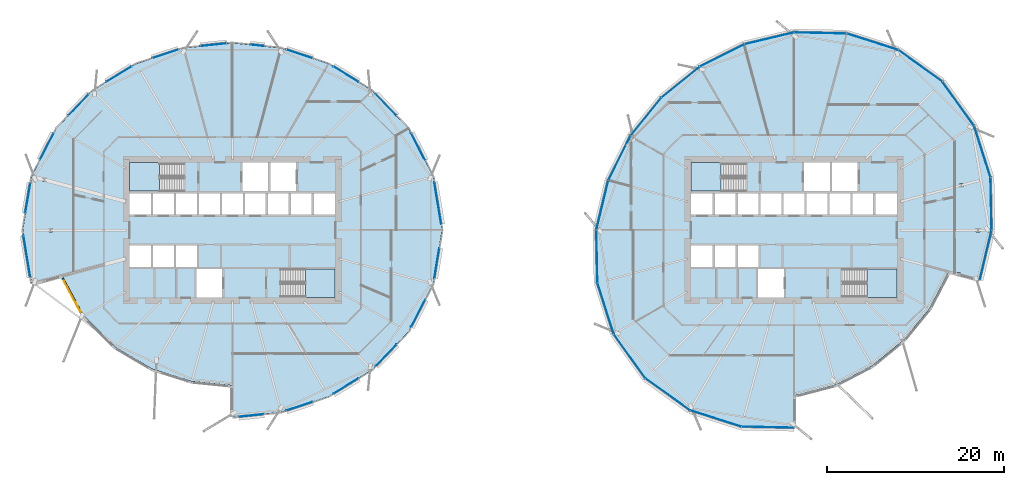
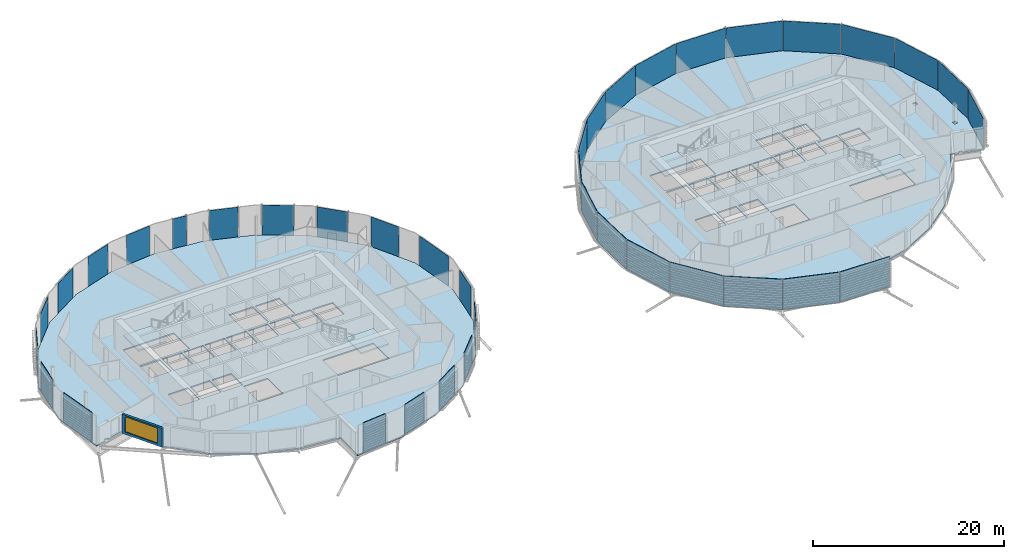
# One storey, part 20 of 40: 38 plates, 6 slabs, 1 wall, 1 window, 1 opening, 6 elements without a shape of their own.
"""IFC4 building model written with IfcOpenShell, lengths in metres."""

from ifc_helpers import new_model, si_unit, direction, frame, frame_2d, origin, origin_2d, place, context, subcontext, project, spatial, polyline, rectangle, outline, extrude, material, layer, layer_set, type_object, element, fill, aggregate, save


model = new_model("IFC4")

# Units and contexts
model_context = context("Model", 3, precision=1e-05, world=origin(), true_north=direction((0.0, 1.0)))
body_context = subcontext(model_context, "Body", "Model", "MODEL_VIEW")
ifc_project = project(units=[si_unit("LENGTHUNIT", "METRE"), si_unit("AREAUNIT", "SQUARE_METRE"), si_unit("VOLUMEUNIT", "CUBIC_METRE"), si_unit("PLANEANGLEUNIT", "RADIAN"), si_unit("MASSUNIT", "GRAM", prefix="KILO")], contexts=[model_context])

# Site, building, storey
site_placement = place(None, origin())
site = spatial("IfcSite", under=ifc_project, at=site_placement, CompositionType="ELEMENT")
building_placement = place(site_placement, origin())
building = spatial("IfcBuilding", under=site, at=building_placement, Name="Rimbun Link Towers", CompositionType="ELEMENT")
storey_placement = place(building_placement, frame((0.0, 0.0, 89.199951171875)))
storey = spatial("IfcBuildingStorey", under=building, at=storey_placement, Name="L21", CompositionType="ELEMENT", Elevation=89.199951171875)

# Slabs
ifc_material_1 = material(Name="Concrete C35/45", Category="concrete")
ifc_layer_1 = layer(ifc_material_1, 0.159912109375)
ifc_layer_set_1 = layer_set([ifc_layer_1], Name="COMPOSITE FLOOR 160")
slab_type_1 = type_object("IfcSlabType", Name="COMPOSITE FLOOR 160", PredefinedType="FLOOR", material=ifc_layer_set_1)
slab_1_placement = place(storey_placement, frame((0.0, 0.0, -0.159912109375)))
element("IfcSlab", 1, at=slab_1_placement, inside=storey, type_object=slab_type_1, Name="Floor slab T1 L21", PredefinedType="FLOOR", context=body_context, shape_type="SweptSolid", body=[
    extrude(outline(polyline([(-54.45556640625, -6.083984375), (-55.455810546875, 0.0), (-54.45556640625, 6.083984375), (-51.65673828125, 11.4931640625), (-47.53857421875, 15.78857421875), (-42.61181640625, 18.8134765625), (-37.265869140625, 20.585205078125), (-31.75, 21.166015625), (-26.234130859375, 20.585205078125), (-20.88818359375, 18.8134765625), (-15.96142578125, 15.78857421875), (-11.84326171875, 11.4931640625), (-9.04443359375, 6.083984375), (-8.044189453125, 0.0), (-9.04443359375, -6.083984375), (-11.84326171875, -11.4931640625), (-15.96142578125, -15.78857421875), (-20.88818359375, -18.8134765625), (-26.234130859375, -20.585205078125), (-31.75, -21.166015625), (-31.75, -17.56591796875), (-36.333984375, -17.10791015625), (-40.81201171875, -15.69580078125), (-44.992919921875, -13.242919921875), (-48.5390625, -9.693115234375), (-50.978271484375, -5.152099609375), (-52.823486328125, -5.646728515625), (-52.823486328125, -5.50341796875), (-53.22265625, -5.50341796875), (-53.22265625, -5.753662109375), (-54.45556640625, -6.083984375)]), holes=[polyline([(-40.95556640625, -4.14990234375), (-40.95556640625, -1.75), (-43.375, -1.75), (-43.375, -4.14990234375), (-40.95556640625, -4.14990234375)]), polyline([(-38.361083984375, -4.14990234375), (-38.361083984375, -1.75), (-40.70556640625, -1.75), (-40.70556640625, -4.14990234375), (-38.361083984375, -4.14990234375)]), polyline([(-38.111083984375, -4.14990234375), (-35.7666015625, -4.14990234375), (-35.7666015625, -1.75), (-38.111083984375, -1.75), (-38.111083984375, -4.14990234375)]), polyline([(-52.51611328125, -0.19677734375), (-52.1171875, -0.19677734375), (-52.1171875, 0.19677734375), (-52.51611328125, 0.19677734375), (-52.51611328125, -0.19677734375)]), polyline([(-40.95556640625, 1.75), (-40.95556640625, 4.14990234375), (-43.375, 4.14990234375), (-43.375, 1.75), (-40.95556640625, 1.75)]), polyline([(-38.361083984375, 1.75), (-38.361083984375, 4.14990234375), (-40.70556640625, 4.14990234375), (-40.70556640625, 1.75), (-38.361083984375, 1.75)]), polyline([(-35.7666015625, 1.75), (-35.7666015625, 4.14990234375), (-38.111083984375, 4.14990234375), (-38.111083984375, 1.75), (-35.7666015625, 1.75)]), polyline([(-53.22265625, 5.50341796875), (-52.823486328125, 5.50341796875), (-52.823486328125, 5.89697265625), (-53.22265625, 5.89697265625), (-53.22265625, 5.50341796875)]), polyline([(-43.375, 4.39990234375), (-37.260009765625, 4.39990234375), (-37.260009765625, 7.625), (-43.375, 7.625), (-43.375, 4.39990234375)]), polyline([(-32.89990234375, -7.625), (-32.89990234375, -4.39990234375), (-35.800048828125, -4.39990234375), (-35.800048828125, -7.625), (-32.89990234375, -7.625)]), polyline([(-20.125, -7.625), (-20.125, -4.39990234375), (-26.239990234375, -4.39990234375), (-26.239990234375, -7.625), (-20.125, -7.625)]), polyline([(-33.172119140625, 1.75), (-33.172119140625, 4.14990234375), (-35.5166015625, 4.14990234375), (-35.5166015625, 1.75), (-33.172119140625, 1.75)]), polyline([(-32.922119140625, 1.75), (-30.577880859375, 1.75), (-30.577880859375, 4.14990234375), (-32.922119140625, 4.14990234375), (-32.922119140625, 1.75)]), polyline([(-30.327880859375, 1.75), (-27.9833984375, 1.75), (-27.9833984375, 4.14990234375), (-30.327880859375, 4.14990234375), (-30.327880859375, 1.75)]), polyline([(-25.388916015625, 1.75), (-25.388916015625, 4.14990234375), (-27.7333984375, 4.14990234375), (-27.7333984375, 1.75), (-25.388916015625, 1.75)]), polyline([(-22.79443359375, 1.75), (-22.79443359375, 4.14990234375), (-25.138916015625, 4.14990234375), (-25.138916015625, 1.75), (-22.79443359375, 1.75)]), polyline([(-20.125, 1.75), (-20.125, 4.14990234375), (-22.54443359375, 4.14990234375), (-22.54443359375, 1.75), (-20.125, 1.75)]), polyline([(-30.60009765625, 4.39990234375), (-27.699951171875, 4.39990234375), (-27.699951171875, 7.625), (-30.60009765625, 7.625), (-30.60009765625, 4.39990234375)]), polyline([(-27.449951171875, 4.39990234375), (-24.550048828125, 4.39990234375), (-24.550048828125, 7.625), (-27.449951171875, 7.625), (-27.449951171875, 4.39990234375)])]), origin(), (0.0, 0.0, 1.0), 0.159912109375),
])
slab_2_placement = place(storey_placement, frame((0.0, 0.0, -0.159912109375)))
element("IfcSlab", 2, at=slab_2_placement, inside=storey, type_object=slab_type_1, Name="Floor slab T2 L21", PredefinedType="FLOOR", context=body_context, shape_type="SweptSolid", body=[
    extrude(outline(polyline([(49.25634765625, -4.69091796875), (47.08837890625, -8.855712890625), (44.1708984375, -12.4208984375), (40.605712890625, -15.33837890625), (36.44091796875, -17.50634765625), (31.75, -18.728271484375), (31.75, -22.328369140625), (25.80078125, -22.202880859375), (19.996826171875, -20.357177734375), (14.9873046875, -16.7626953125), (11.392822265625, -11.753173828125), (9.547119140625, -5.94921875), (9.421630859375, 0.0), (10.766357421875, 5.62255859375), (13.2939453125, 10.655517578125), (16.783447265625, 14.966552734375), (21.094482421875, 18.4560546875), (26.12744140625, 20.983642578125), (31.75, 22.328369140625), (37.69921875, 22.202880859375), (43.503173828125, 20.357177734375), (48.5126953125, 16.7626953125), (52.107177734375, 11.753173828125), (53.952880859375, 5.94921875), (54.078369140625, 0.0), (52.733642578125, -5.62255859375), (50.59228515625, -5.048828125), (50.59228515625, -4.798583984375), (50.193359375, -4.798583984375), (50.193359375, -4.94189453125), (49.25634765625, -4.69091796875)]), holes=[polyline([(30.60009765625, -7.625), (30.60009765625, -4.39990234375), (27.699951171875, -4.39990234375), (27.699951171875, -7.625), (30.60009765625, -7.625)]), polyline([(22.54443359375, -4.14990234375), (22.54443359375, -1.75), (20.125, -1.75), (20.125, -4.14990234375), (22.54443359375, -4.14990234375)]), polyline([(25.138916015625, -4.14990234375), (25.138916015625, -1.75), (22.79443359375, -1.75), (22.79443359375, -4.14990234375), (25.138916015625, -4.14990234375)]), polyline([(25.388916015625, -4.14990234375), (27.7333984375, -4.14990234375), (27.7333984375, -1.75), (25.388916015625, -1.75), (25.388916015625, -4.14990234375)]), polyline([(20.125, 1.75), (22.54443359375, 1.75), (22.54443359375, 4.14990234375), (20.125, 4.14990234375), (20.125, 1.75)]), polyline([(25.138916015625, 1.75), (25.138916015625, 4.14990234375), (22.79443359375, 4.14990234375), (22.79443359375, 1.75), (25.138916015625, 1.75)]), polyline([(27.7333984375, 1.75), (27.7333984375, 4.14990234375), (25.388916015625, 4.14990234375), (25.388916015625, 1.75), (27.7333984375, 1.75)]), polyline([(30.327880859375, 1.75), (30.327880859375, 4.14990234375), (27.9833984375, 4.14990234375), (27.9833984375, 1.75), (30.327880859375, 1.75)]), polyline([(30.577880859375, 1.75), (32.922119140625, 1.75), (32.922119140625, 4.14990234375), (30.577880859375, 4.14990234375), (30.577880859375, 1.75)]), polyline([(20.125, 4.39990234375), (26.239990234375, 4.39990234375), (26.239990234375, 7.625), (20.125, 7.625), (20.125, 4.39990234375)]), polyline([(43.375, -7.625), (43.375, -4.39990234375), (37.260009765625, -4.39990234375), (37.260009765625, -7.625), (43.375, -7.625)]), polyline([(52.75341796875, -0.19677734375), (52.75341796875, 0.19677734375), (52.3544921875, 0.19677734375), (52.3544921875, -0.19677734375), (52.75341796875, -0.19677734375)]), polyline([(33.172119140625, 1.75), (35.5166015625, 1.75), (35.5166015625, 4.14990234375), (33.172119140625, 4.14990234375), (33.172119140625, 1.75)]), polyline([(35.7666015625, 1.75), (38.111083984375, 1.75), (38.111083984375, 4.14990234375), (35.7666015625, 4.14990234375), (35.7666015625, 1.75)]), polyline([(40.70556640625, 1.75), (40.70556640625, 4.14990234375), (38.361083984375, 4.14990234375), (38.361083984375, 1.75), (40.70556640625, 1.75)]), polyline([(43.375, 1.75), (43.375, 4.14990234375), (40.95556640625, 4.14990234375), (40.95556640625, 1.75), (43.375, 1.75)]), polyline([(50.85302734375, 4.868408203125), (50.85302734375, 5.261962890625), (50.4541015625, 5.261962890625), (50.4541015625, 4.868408203125), (50.85302734375, 4.868408203125)]), polyline([(32.89990234375, 4.39990234375), (35.800048828125, 4.39990234375), (35.800048828125, 7.625), (32.89990234375, 7.625), (32.89990234375, 4.39990234375)]), polyline([(36.050048828125, 4.39990234375), (38.949951171875, 4.39990234375), (38.949951171875, 7.625), (36.050048828125, 7.625), (36.050048828125, 4.39990234375)])]), origin(), (0.0, 0.0, 1.0), 0.159912109375),
])

# Curtain wall, plates
ifc_material_2 = material(Name="Aluminium 6063-T6 and low-iron glass", Category="aluminium")
curtain_wall_type = type_object("IfcCurtainWallType", Name="CW1-Z2 unitised vision wall (zone 2)", PredefinedType="NOTDEFINED", material=ifc_material_2)
curtain_wall_1_placement = place(storey_placement, origin())
curtain_wall_1 = element("IfcCurtainWall", 3, at=curtain_wall_1_placement, inside=storey, type_object=curtain_wall_type, Name="CW1 L21 T1", PredefinedType="NOTDEFINED")
ifc_material_3 = material(Name="Low-iron glass, laminated low-e unit", Category="glass")
ifc_layer_2 = layer(ifc_material_3, 0.028076171875)
ifc_layer_set_2 = layer_set([ifc_layer_2], Name="CW1 panel Low-iron glass 28")
plate_type = type_object("IfcPlateType", Name="CW1 panel Low-iron glass 28", PredefinedType="CURTAIN_PANEL", material=ifc_layer_set_2)
plate_1_placement = place(storey_placement, frame((-8.530517578125, 3.044189453125, 0.0), z_axis=(0.0, 0.0, 1.0), x_axis=(0.162255058613, -0.986748851509, 0.0)))
plate_1 = element("IfcPlate", 4, at=plate_1_placement, type_object=plate_type, Name="CW1 panel", PredefinedType="CURTAIN_PANEL", context=body_context, shape_type="SweptSolid", body=[
    extrude(rectangle(XDim=4.82568359375, YDim=0.028076171875, at=origin_2d()), origin(), (0.0, 0.0, 1.0), 3.800048828125),
])
plate_2_placement = place(storey_placement, frame((-10.753173828125, 9.416748046875, 0.0), z_axis=(0.0, 0.0, 1.0), x_axis=(0.459544411514, -0.888154791602, 0.0)))
plate_2 = element("IfcPlate", 5, at=plate_2_placement, type_object=plate_type, Name="CW1 panel", PredefinedType="CURTAIN_PANEL", context=body_context, shape_type="SweptSolid", body=[
    extrude(rectangle(XDim=3.450439453125, YDim=0.028076171875, at=origin_2d()), origin(), (0.0, 0.0, 1.0), 3.800048828125),
])
plate_3_placement = place(storey_placement, frame((-14.359375, 14.1376953125, 0.0), z_axis=(0.0, 0.0, 1.0), x_axis=(0.692060834658, -0.721839179549, 0.0)))
plate_3 = element("IfcPlate", 6, at=plate_3_placement, type_object=plate_type, Name="CW1 panel", PredefinedType="CURTAIN_PANEL", context=body_context, shape_type="SweptSolid", body=[
    extrude(rectangle(XDim=3.360595703125, YDim=0.028076171875, at=origin_2d()), origin(), (0.0, 0.0, 1.0), 3.800048828125),
])
plate_4_placement = place(storey_placement, frame((-18.9287109375, 17.626708984375, 0.0), z_axis=(0.0, 0.0, 1.0), x_axis=(0.852187057689, -0.523237248968, 0.0)))
plate_4 = element("IfcPlate", 7, at=plate_4_placement, type_object=plate_type, Name="CW1 panel", PredefinedType="CURTAIN_PANEL", context=body_context, shape_type="SweptSolid", body=[
    extrude(rectangle(XDim=3.341064453125, YDim=0.028076171875, at=origin_2d()), origin(), (0.0, 0.0, 1.0), 3.800048828125),
])
plate_5_placement = place(storey_placement, frame((-24.173828125, 19.9169921875, 0.0), z_axis=(0.0, 0.0, 1.0), x_axis=(0.949232284646, -0.314576015911, 0.0)))
plate_5 = element("IfcPlate", 8, at=plate_5_placement, type_object=plate_type, Name="CW1 panel", PredefinedType="CURTAIN_PANEL", context=body_context, shape_type="SweptSolid", body=[
    extrude(rectangle(XDim=3.092041015625, YDim=0.028076171875, at=origin_2d()), origin(), (0.0, 0.0, 1.0), 3.800048828125),
])
plate_6_placement = place(storey_placement, frame((-28.94091796875, 20.88427734375, 0.0), z_axis=(0.0, 0.0, 1.0), x_axis=(0.994500017876, -0.104736404583, 0.0)))
plate_6 = element("IfcPlate", 9, at=plate_6_placement, type_object=plate_type, Name="CW1 panel", PredefinedType="CURTAIN_PANEL", context=body_context, shape_type="SweptSolid", body=[
    extrude(rectangle(XDim=1.606201171875, YDim=0.028076171875, at=origin_2d()), origin(), (0.0, 0.0, 1.0), 3.800048828125),
])
plate_7_placement = place(storey_placement, frame((-33.8876953125, 20.954833984375, 0.0), z_axis=(0.0, 0.0, 1.0), x_axis=(0.994500017876, 0.104736404583, 0.0)))
plate_7 = element("IfcPlate", 10, at=plate_7_placement, type_object=plate_type, Name="CW1 panel", PredefinedType="CURTAIN_PANEL", context=body_context, shape_type="SweptSolid", body=[
    extrude(rectangle(XDim=2.956298828125, YDim=0.028076171875, at=origin_2d()), origin(), (0.0, 0.0, 1.0), 3.800048828125),
])
plate_8_placement = place(storey_placement, frame((-39.326171875, 19.9169921875, 0.0), z_axis=(0.0, 0.0, 1.0), x_axis=(0.949232284646, 0.314576015911, 0.0)))
plate_8 = element("IfcPlate", 11, at=plate_8_placement, type_object=plate_type, Name="CW1 panel", PredefinedType="CURTAIN_PANEL", context=body_context, shape_type="SweptSolid", body=[
    extrude(rectangle(XDim=3.092041015625, YDim=0.028076171875, at=origin_2d()), origin(), (0.0, 0.0, 1.0), 3.800048828125),
])
plate_9_placement = place(storey_placement, frame((-44.5712890625, 17.626708984375, 0.0), z_axis=(0.0, 0.0, 1.0), x_axis=(0.852187057689, 0.523237248968, 0.0)))
plate_9 = element("IfcPlate", 12, at=plate_9_placement, type_object=plate_type, Name="CW1 panel", PredefinedType="CURTAIN_PANEL", context=body_context, shape_type="SweptSolid", body=[
    extrude(rectangle(XDim=3.341064453125, YDim=0.028076171875, at=origin_2d()), origin(), (0.0, 0.0, 1.0), 3.800048828125),
])
plate_10_placement = place(storey_placement, frame((-49.140625, 14.1376953125, 0.0), z_axis=(0.0, 0.0, 1.0), x_axis=(0.692060834658, 0.721839179549, 0.0)))
plate_10 = element("IfcPlate", 13, at=plate_10_placement, type_object=plate_type, Name="CW1 panel", PredefinedType="CURTAIN_PANEL", context=body_context, shape_type="SweptSolid", body=[
    extrude(rectangle(XDim=3.360595703125, YDim=0.028076171875, at=origin_2d()), origin(), (0.0, 0.0, 1.0), 3.800048828125),
])
plate_11_placement = place(storey_placement, frame((-52.723876953125, 9.4609375, 0.0), z_axis=(0.0, 0.0, 1.0), x_axis=(0.459544411514, 0.888154791602, 0.0)))
plate_11 = element("IfcPlate", 14, at=plate_11_placement, type_object=plate_type, Name="CW1 panel", PredefinedType="CURTAIN_PANEL", context=body_context, shape_type="SweptSolid", body=[
    extrude(rectangle(XDim=3.350341796875, YDim=0.028076171875, at=origin_2d()), origin(), (0.0, 0.0, 1.0), 3.800048828125),
])
plate_12_placement = place(storey_placement, frame((-54.8720703125, 3.63623046875, 0.0), z_axis=(0.0, 0.0, 1.0), x_axis=(0.162255058613, 0.986748851509, 0.0)))
plate_12 = element("IfcPlate", 15, at=plate_12_placement, type_object=plate_type, Name="CW1 panel", PredefinedType="CURTAIN_PANEL", context=body_context, shape_type="SweptSolid", body=[
    extrude(rectangle(XDim=3.425537109375, YDim=0.028076171875, at=origin_2d()), origin(), (0.0, 0.0, 1.0), 3.800048828125),
])
plate_13_placement = place(storey_placement, frame((-54.9775390625, -2.994873046875, 0.0), z_axis=(0.0, 0.0, 1.0), x_axis=(-0.162255058613, 0.986748851509, 0.0)))
plate_13 = element("IfcPlate", 16, at=plate_13_placement, type_object=plate_type, Name="CW1 panel", PredefinedType="CURTAIN_PANEL", context=body_context, shape_type="SweptSolid", body=[
    extrude(rectangle(XDim=4.7255859375, YDim=0.028076171875, at=origin_2d()), origin(), (0.0, 0.0, 1.0), 3.800048828125),
])
plate_14_placement = place(storey_placement, frame((-29.6123046875, -20.954833984375, 0.0), z_axis=(0.0, 0.0, 1.0), x_axis=(-0.994500017876, -0.104736404583, 0.0)))
plate_14 = element("IfcPlate", 17, at=plate_14_placement, type_object=plate_type, Name="CW1 panel", PredefinedType="CURTAIN_PANEL", context=body_context, shape_type="SweptSolid", body=[
    extrude(rectangle(XDim=2.856201171875, YDim=0.028076171875, at=origin_2d()), origin(), (0.0, 0.0, 1.0), 3.800048828125),
])
plate_15_placement = place(storey_placement, frame((-24.173828125, -19.9169921875, 0.0), z_axis=(0.0, 0.0, 1.0), x_axis=(-0.949232284646, -0.314576015911, 0.0)))
plate_15 = element("IfcPlate", 18, at=plate_15_placement, type_object=plate_type, Name="CW1 panel", PredefinedType="CURTAIN_PANEL", context=body_context, shape_type="SweptSolid", body=[
    extrude(rectangle(XDim=3.092041015625, YDim=0.028076171875, at=origin_2d()), origin(), (0.0, 0.0, 1.0), 3.800048828125),
])
plate_16_placement = place(storey_placement, frame((-18.9287109375, -17.626708984375, 0.0), z_axis=(0.0, 0.0, 1.0), x_axis=(-0.852187057689, -0.523237248968, 0.0)))
plate_16 = element("IfcPlate", 19, at=plate_16_placement, type_object=plate_type, Name="CW1 panel", PredefinedType="CURTAIN_PANEL", context=body_context, shape_type="SweptSolid", body=[
    extrude(rectangle(XDim=3.341064453125, YDim=0.028076171875, at=origin_2d()), origin(), (0.0, 0.0, 1.0), 3.800048828125),
])
plate_17_placement = place(storey_placement, frame((-14.359375, -14.1376953125, 0.0), z_axis=(0.0, 0.0, 1.0), x_axis=(-0.692060834658, -0.721839179549, 0.0)))
plate_17 = element("IfcPlate", 20, at=plate_17_placement, type_object=plate_type, Name="CW1 panel", PredefinedType="CURTAIN_PANEL", context=body_context, shape_type="SweptSolid", body=[
    extrude(rectangle(XDim=3.360595703125, YDim=0.028076171875, at=origin_2d()), origin(), (0.0, 0.0, 1.0), 3.800048828125),
])
plate_18_placement = place(storey_placement, frame((-10.753173828125, -9.416748046875, 0.0), z_axis=(0.0, 0.0, 1.0), x_axis=(-0.459544411514, -0.888154791602, 0.0)))
plate_18 = element("IfcPlate", 21, at=plate_18_placement, type_object=plate_type, Name="CW1 panel", PredefinedType="CURTAIN_PANEL", context=body_context, shape_type="SweptSolid", body=[
    extrude(rectangle(XDim=3.450439453125, YDim=0.028076171875, at=origin_2d()), origin(), (0.0, 0.0, 1.0), 3.800048828125),
])
plate_19_placement = place(storey_placement, frame((-8.64404296875, -3.73486328125, 0.0), z_axis=(0.0, 0.0, 1.0), x_axis=(-0.162255058613, -0.986748851509, 0.0)))
plate_19 = element("IfcPlate", 22, at=plate_19_placement, type_object=plate_type, Name="CW1 panel", PredefinedType="CURTAIN_PANEL", context=body_context, shape_type="SweptSolid", body=[
    extrude(rectangle(XDim=3.425537109375, YDim=0.028076171875, at=origin_2d()), origin(), (0.0, 0.0, 1.0), 3.800048828125),
])
aggregate(curtain_wall_1, [plate_1, plate_2, plate_3, plate_4, plate_5, plate_6, plate_7, plate_8, plate_9, plate_10, plate_11, plate_12, plate_13, plate_14, plate_15, plate_16, plate_17, plate_18, plate_19])

curtain_wall_2_placement = place(storey_placement, origin())
curtain_wall_2 = element("IfcCurtainWall", 23, at=curtain_wall_2_placement, inside=storey, type_object=curtain_wall_type, Name="CW1 L21 T2", PredefinedType="NOTDEFINED")
plate_20_placement = place(storey_placement, frame((46.01611328125, 18.5712890625, 0.0), z_axis=(0.0, 0.0, 1.0), x_axis=(0.812469108412, -0.583004243446, 0.0)))
plate_20 = element("IfcPlate", 24, at=plate_20_placement, type_object=plate_type, Name="CW1 panel", PredefinedType="CURTAIN_PANEL", context=body_context, shape_type="SweptSolid", body=[
    extrude(rectangle(XDim=6.125732421875, YDim=0.028076171875, at=origin_2d()), origin(), (0.0, 0.0, 1.0), 3.800048828125),
])
plate_21_placement = place(storey_placement, frame((40.60546875, 21.29345703125, 0.0), z_axis=(0.0, 0.0, 1.0), x_axis=(0.952968251743, -0.303070142328, 0.0)))
plate_21 = element("IfcPlate", 25, at=plate_21_placement, type_object=plate_type, Name="CW1 panel", PredefinedType="CURTAIN_PANEL", context=body_context, shape_type="SweptSolid", body=[
    extrude(rectangle(XDim=6.05029296875, YDim=0.028076171875, at=origin_2d()), origin(), (0.0, 0.0, 1.0), 3.800048828125),
])
plate_22_placement = place(storey_placement, frame((34.724853515625, 22.279541015625, 0.0), z_axis=(0.0, 0.0, 1.0), x_axis=(0.999778284552, -0.02105663171, 0.0)))
plate_22 = element("IfcPlate", 26, at=plate_22_placement, type_object=plate_type, Name="CW1 panel", PredefinedType="CURTAIN_PANEL", context=body_context, shape_type="SweptSolid", body=[
    extrude(rectangle(XDim=5.91064453125, YDim=0.028076171875, at=origin_2d()), origin(), (0.0, 0.0, 1.0), 3.800048828125),
])
plate_23_placement = place(storey_placement, frame((28.935546875, 21.669677734375, 0.0), z_axis=(0.0, 0.0, 1.0), x_axis=(0.972576339867, 0.232583884072, 0.0)))
plate_23 = element("IfcPlate", 27, at=plate_23_placement, type_object=plate_type, Name="CW1 panel", PredefinedType="CURTAIN_PANEL", context=body_context, shape_type="SweptSolid", body=[
    extrude(rectangle(XDim=5.7412109375, YDim=0.028076171875, at=origin_2d()), origin(), (0.0, 0.0, 1.0), 3.800048828125),
])
plate_24_placement = place(storey_placement, frame((23.604736328125, 19.732421875, 0.0), z_axis=(0.0, 0.0, 1.0), x_axis=(0.893637454336, 0.448789594585, 0.0)))
plate_24 = element("IfcPlate", 28, at=plate_24_placement, type_object=plate_type, Name="CW1 panel", PredefinedType="CURTAIN_PANEL", context=body_context, shape_type="SweptSolid", body=[
    extrude(rectangle(XDim=5.592041015625, YDim=0.028076171875, at=origin_2d()), origin(), (0.0, 0.0, 1.0), 3.800048828125),
])
plate_25_placement = place(storey_placement, frame((18.93017578125, 16.72216796875, 0.0), z_axis=(0.0, 0.0, 1.0), x_axis=(0.777276360608, 0.629159327388, 0.0)))
plate_25 = element("IfcPlate", 29, at=plate_25_placement, type_object=plate_type, Name="CW1 panel", PredefinedType="CURTAIN_PANEL", context=body_context, shape_type="SweptSolid", body=[
    extrude(rectangle(XDim=5.50634765625, YDim=0.028076171875, at=origin_2d()), origin(), (0.0, 0.0, 1.0), 3.800048828125),
])
plate_26_placement = place(storey_placement, frame((15.02783203125, 12.81982421875, 0.0), z_axis=(0.0, 0.0, 1.0), x_axis=(0.629159327388, 0.777276360608, 0.0)))
plate_26 = element("IfcPlate", 30, at=plate_26_placement, type_object=plate_type, Name="CW1 panel", PredefinedType="CURTAIN_PANEL", context=body_context, shape_type="SweptSolid", body=[
    extrude(rectangle(XDim=5.50634765625, YDim=0.028076171875, at=origin_2d()), origin(), (0.0, 0.0, 1.0), 3.800048828125),
])
plate_27_placement = place(storey_placement, frame((12.017578125, 8.145263671875, 0.0), z_axis=(0.0, 0.0, 1.0), x_axis=(0.448789594585, 0.893637454336, 0.0)))
plate_27 = element("IfcPlate", 31, at=plate_27_placement, type_object=plate_type, Name="CW1 panel", PredefinedType="CURTAIN_PANEL", context=body_context, shape_type="SweptSolid", body=[
    extrude(rectangle(XDim=5.592041015625, YDim=0.028076171875, at=origin_2d()), origin(), (0.0, 0.0, 1.0), 3.800048828125),
])
plate_28_placement = place(storey_placement, frame((10.080322265625, 2.814453125, 0.0), z_axis=(0.0, 0.0, 1.0), x_axis=(0.232583884072, 0.972576339867, 0.0)))
plate_28 = element("IfcPlate", 32, at=plate_28_placement, type_object=plate_type, Name="CW1 panel", PredefinedType="CURTAIN_PANEL", context=body_context, shape_type="SweptSolid", body=[
    extrude(rectangle(XDim=5.7412109375, YDim=0.028076171875, at=origin_2d()), origin(), (0.0, 0.0, 1.0), 3.800048828125),
])
plate_29_placement = place(storey_placement, frame((9.470458984375, -2.974853515625, 0.0), z_axis=(0.0, 0.0, 1.0), x_axis=(-0.02105663171, 0.999778284552, 0.0)))
plate_29 = element("IfcPlate", 33, at=plate_29_placement, type_object=plate_type, Name="CW1 panel", PredefinedType="CURTAIN_PANEL", context=body_context, shape_type="SweptSolid", body=[
    extrude(rectangle(XDim=5.91064453125, YDim=0.028076171875, at=origin_2d()), origin(), (0.0, 0.0, 1.0), 3.800048828125),
])
plate_30_placement = place(storey_placement, frame((10.45654296875, -8.85546875, 0.0), z_axis=(0.0, 0.0, 1.0), x_axis=(-0.303070142328, 0.952968251743, 0.0)))
plate_30 = element("IfcPlate", 34, at=plate_30_placement, type_object=plate_type, Name="CW1 panel", PredefinedType="CURTAIN_PANEL", context=body_context, shape_type="SweptSolid", body=[
    extrude(rectangle(XDim=6.05029296875, YDim=0.028076171875, at=origin_2d()), origin(), (0.0, 0.0, 1.0), 3.800048828125),
])
plate_31_placement = place(storey_placement, frame((13.1787109375, -14.26611328125, 0.0), z_axis=(0.0, 0.0, 1.0), x_axis=(-0.583004243446, 0.812469108412, 0.0)))
plate_31 = element("IfcPlate", 35, at=plate_31_placement, type_object=plate_type, Name="CW1 panel", PredefinedType="CURTAIN_PANEL", context=body_context, shape_type="SweptSolid", body=[
    extrude(rectangle(XDim=6.125732421875, YDim=0.028076171875, at=origin_2d()), origin(), (0.0, 0.0, 1.0), 3.800048828125),
])
plate_32_placement = place(storey_placement, frame((17.48388671875, -18.5712890625, 0.0), z_axis=(0.0, 0.0, 1.0), x_axis=(-0.812469108412, 0.583004243446, 0.0)))
plate_32 = element("IfcPlate", 36, at=plate_32_placement, type_object=plate_type, Name="CW1 panel", PredefinedType="CURTAIN_PANEL", context=body_context, shape_type="SweptSolid", body=[
    extrude(rectangle(XDim=6.125732421875, YDim=0.028076171875, at=origin_2d()), origin(), (0.0, 0.0, 1.0), 3.800048828125),
])
plate_33_placement = place(storey_placement, frame((22.89453125, -21.29345703125, 0.0), z_axis=(0.0, 0.0, 1.0), x_axis=(-0.952968251743, 0.303070142328, 0.0)))
plate_33 = element("IfcPlate", 37, at=plate_33_placement, type_object=plate_type, Name="CW1 panel", PredefinedType="CURTAIN_PANEL", context=body_context, shape_type="SweptSolid", body=[
    extrude(rectangle(XDim=6.05029296875, YDim=0.028076171875, at=origin_2d()), origin(), (0.0, 0.0, 1.0), 3.800048828125),
])
plate_34_placement = place(storey_placement, frame((28.775146484375, -22.279541015625, 0.0), z_axis=(0.0, 0.0, 1.0), x_axis=(-0.999778284552, 0.02105663171, 0.0)))
plate_34 = element("IfcPlate", 38, at=plate_34_placement, type_object=plate_type, Name="CW1 panel", PredefinedType="CURTAIN_PANEL", context=body_context, shape_type="SweptSolid", body=[
    extrude(rectangle(XDim=5.91064453125, YDim=0.028076171875, at=origin_2d()), origin(), (0.0, 0.0, 1.0), 3.800048828125),
])
plate_35_placement = place(storey_placement, frame((53.419677734375, -2.814453125, 0.0), z_axis=(0.0, 0.0, 1.0), x_axis=(-0.232583884072, -0.972576339867, 0.0)))
plate_35 = element("IfcPlate", 39, at=plate_35_placement, type_object=plate_type, Name="CW1 panel", PredefinedType="CURTAIN_PANEL", context=body_context, shape_type="SweptSolid", body=[
    extrude(rectangle(XDim=5.7412109375, YDim=0.028076171875, at=origin_2d()), origin(), (0.0, 0.0, 1.0), 3.800048828125),
])
plate_36_placement = place(storey_placement, frame((54.029541015625, 2.974853515625, 0.0), z_axis=(0.0, 0.0, 1.0), x_axis=(0.02105663171, -0.999778284552, 0.0)))
plate_36 = element("IfcPlate", 40, at=plate_36_placement, type_object=plate_type, Name="CW1 panel", PredefinedType="CURTAIN_PANEL", context=body_context, shape_type="SweptSolid", body=[
    extrude(rectangle(XDim=5.91064453125, YDim=0.028076171875, at=origin_2d()), origin(), (0.0, 0.0, 1.0), 3.800048828125),
])
plate_37_placement = place(storey_placement, frame((53.04345703125, 8.85546875, 0.0), z_axis=(0.0, 0.0, 1.0), x_axis=(0.303070142328, -0.952968251743, 0.0)))
plate_37 = element("IfcPlate", 41, at=plate_37_placement, type_object=plate_type, Name="CW1 panel", PredefinedType="CURTAIN_PANEL", context=body_context, shape_type="SweptSolid", body=[
    extrude(rectangle(XDim=6.05029296875, YDim=0.028076171875, at=origin_2d()), origin(), (0.0, 0.0, 1.0), 3.800048828125),
])
plate_38_placement = place(storey_placement, frame((50.3212890625, 14.26611328125, 0.0), z_axis=(0.0, 0.0, 1.0), x_axis=(0.583004243446, -0.812469108412, 0.0)))
plate_38 = element("IfcPlate", 42, at=plate_38_placement, type_object=plate_type, Name="CW1 panel", PredefinedType="CURTAIN_PANEL", context=body_context, shape_type="SweptSolid", body=[
    extrude(rectangle(XDim=6.125732421875, YDim=0.028076171875, at=origin_2d()), origin(), (0.0, 0.0, 1.0), 3.800048828125),
])
aggregate(curtain_wall_2, [plate_20, plate_21, plate_22, plate_23, plate_24, plate_25, plate_26, plate_27, plate_28, plate_29, plate_30, plate_31, plate_32, plate_33, plate_34, plate_35, plate_36, plate_37, plate_38])

# Stair, slab
ifc_material_4 = material(Name="Concrete C40/50", Category="concrete")
stair_type = type_object("IfcStairType", Name="Exit stair 3800 rise", PredefinedType="HALF_TURN_STAIR", material=ifc_material_4)
stair_1_placement = place(storey_placement, origin())
stair_1 = element("IfcStair", 43, at=stair_1_placement, inside=storey, type_object=stair_type, Name="L21 EXIT STAIR A", PredefinedType="HALF_TURN_STAIR")
ifc_material_5 = material(Name="Concrete C40/50", Category="concrete")
ifc_layer_3 = layer(ifc_material_5, 0.199951171875)
ifc_layer_set_3 = layer_set([ifc_layer_3], Name="Stair landing")
slab_type_2 = type_object("IfcSlabType", Name="Stair landing", PredefinedType="LANDING", material=ifc_layer_set_3)
slab_3_placement = place(storey_placement, frame((0.0, 0.0, 1.699951171875)))
slab_3 = element("IfcSlab", 44, at=slab_3_placement, type_object=slab_type_2, Name="ST1 landing 1", PredefinedType="LANDING", context=body_context, shape_type="SweptSolid", body=[
    extrude(outline(polyline([(-40.0, 7.625), (-43.375, 7.625), (-43.375, 4.39990234375), (-40.0, 4.39990234375), (-40.0, 7.625)])), origin(), (0.0, 0.0, 1.0), 0.2001953125),
])
aggregate(stair_1, [slab_3])

stair_2_placement = place(storey_placement, origin())
stair_2 = element("IfcStair", 45, at=stair_2_placement, inside=storey, type_object=stair_type, Name="L21 EXIT STAIR B", PredefinedType="HALF_TURN_STAIR")
slab_4_placement = place(storey_placement, frame((0.0, 0.0, 1.699951171875)))
slab_4 = element("IfcSlab", 46, at=slab_4_placement, type_object=slab_type_2, Name="ST2 landing 1", PredefinedType="LANDING", context=body_context, shape_type="SweptSolid", body=[
    extrude(outline(polyline([(-23.5, -7.625), (-20.125, -7.625), (-20.125, -4.39990234375), (-23.5, -4.39990234375), (-23.5, -7.625)])), origin(), (0.0, 0.0, 1.0), 0.2001953125),
])
aggregate(stair_2, [slab_4])

stair_3_placement = place(storey_placement, origin())
stair_3 = element("IfcStair", 47, at=stair_3_placement, inside=storey, type_object=stair_type, Name="L21 EXIT STAIR A", PredefinedType="HALF_TURN_STAIR")
slab_5_placement = place(storey_placement, frame((0.0, 0.0, 1.699951171875)))
slab_5 = element("IfcSlab", 48, at=slab_5_placement, type_object=slab_type_2, Name="ST3 landing 1", PredefinedType="LANDING", context=body_context, shape_type="SweptSolid", body=[
    extrude(outline(polyline([(23.5, 7.625), (20.125, 7.625), (20.125, 4.39990234375), (23.5, 4.39990234375), (23.5, 7.625)])), origin(), (0.0, 0.0, 1.0), 0.2001953125),
])
aggregate(stair_3, [slab_5])

stair_4_placement = place(storey_placement, origin())
stair_4 = element("IfcStair", 49, at=stair_4_placement, inside=storey, type_object=stair_type, Name="L21 EXIT STAIR B", PredefinedType="HALF_TURN_STAIR")
slab_6_placement = place(storey_placement, frame((0.0, 0.0, 1.699951171875)))
slab_6 = element("IfcSlab", 50, at=slab_6_placement, type_object=slab_type_2, Name="ST4 landing 1", PredefinedType="LANDING", context=body_context, shape_type="SweptSolid", body=[
    extrude(outline(polyline([(40.0, -7.625), (43.375, -7.625), (43.375, -4.39990234375), (40.0, -4.39990234375), (40.0, -7.625)])), origin(), (0.0, 0.0, 1.0), 0.2001953125),
])
aggregate(stair_4, [slab_6])

# Wall, opening, window
ifc_material_6 = material(Name="Dark enamelled glass spandrel on insulated aluminium backpan", Category="aluminium")
ifc_layer_4 = layer(ifc_material_6, 0.25)
ifc_layer_set_4 = layer_set([ifc_layer_4], Name="CS dark enamelled spandrel wall 250")
wall_type = type_object("IfcWallType", Name="CS dark enamelled spandrel wall 250", PredefinedType="STANDARD", material=ifc_layer_set_4)
wall_placement = place(storey_placement, frame((-48.640380859375, -9.7685546875, 0.0), z_axis=(0.0, 0.0, 1.0), x_axis=(-0.473204683216, 0.88095251165, 0.0)))
wall = element("IfcWall", 51, at=wall_placement, inside=storey, type_object=wall_type, Name="Crease spandrel wall", PredefinedType="STANDARD", context=body_context, shape_type="SweptSolid", body=[
    extrude(rectangle(XDim=4.94580078125, YDim=0.25, at=frame_2d((2.472900390625, 0.0))), origin(), (0.0, 0.0, 1.0), 2.429931640625),
])
opening_placement = place(wall_placement, frame((0.583251953125, 0.0, 0.300048828125)))
opening = element("IfcOpeningElement", 52, at=opening_placement, cuts=wall, Name="Opening WR40H195", PredefinedType="OPENING", context=body_context, shape_type="SweptSolid", body=[
    extrude(rectangle(XDim=4.0, YDim=1.949951171875, at=frame_2d((2.0, 0.97509765625))), frame((0.0, 0.135009765625, 0.0), z_axis=(0.0, -1.0, 0.0), x_axis=(1.0, 0.0, 0.0)), (0.0, 0.0, 1.0), 0.27001953125),
])
ifc_material_7 = material(Name="Aluminium framed fixed window, dark tinted low-e glass", Category="aluminium")
window_type = type_object("IfcWindowType", Name="WR ribbon window 4000X1950", PartitioningType="SINGLE_PANEL", PredefinedType="WINDOW", material=ifc_material_7)
window_placement = place(opening_placement, origin())
window = element("IfcWindow", 53, at=window_placement, inside=storey, type_object=window_type, Name="Crease ribbon window", OverallHeight=1.949951171875, OverallWidth=4.0, PartitioningType="SINGLE_PANEL", PredefinedType="WINDOW", context=body_context, shape_type="SweptSolid", body=[
    extrude(rectangle(XDim=4.0, YDim=1.949951171875, at=frame_2d((2.0, 0.97509765625))), frame((0.0, 0.030029296875, 0.0), z_axis=(0.0, -1.0, 0.0), x_axis=(1.0, 0.0, 0.0)), (0.0, 0.0, 1.0), 0.06005859375),
])
fill(opening, window)

save(model, "model.ifc")
